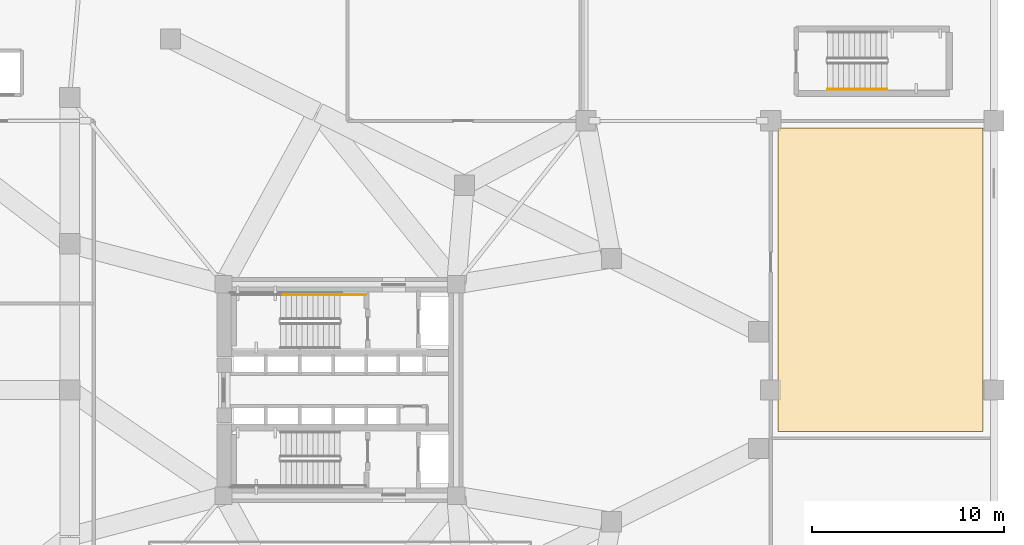
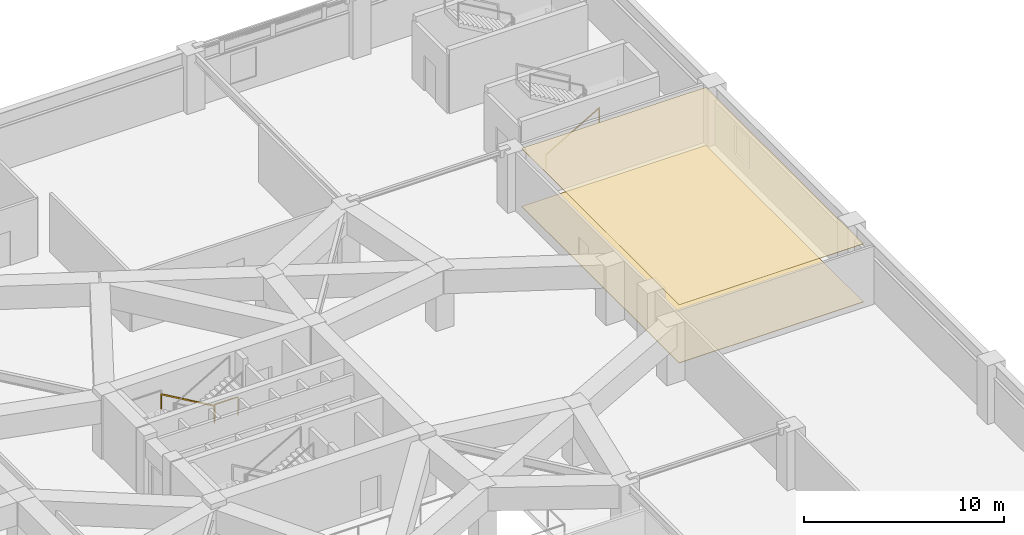
# One storey, part 15 of 16: 3 railings, 2 coverings.
"""IFC4 building model written with IfcOpenShell, lengths in metres."""

from ifc_helpers import new_model, si_unit, direction, frame, origin, origin_2d, place, context, subcontext, project, spatial, polyline, rectangle, outline, extrude, material, layer, layer_set, type_object, element, save


model = new_model("IFC4")

# Units and contexts
model_context = context("Model", 3, precision=1e-05, world=origin(), true_north=direction((0.0, 1.0)))
body_context = subcontext(model_context, "Body", "Model", "MODEL_VIEW")
ifc_project = project(units=[si_unit("LENGTHUNIT", "METRE"), si_unit("AREAUNIT", "SQUARE_METRE"), si_unit("VOLUMEUNIT", "CUBIC_METRE"), si_unit("PLANEANGLEUNIT", "RADIAN"), si_unit("MASSUNIT", "GRAM", prefix="KILO")], contexts=[model_context])

# Site, building, storey
site_placement = place(None, origin())
site = spatial("IfcSite", under=ifc_project, at=site_placement, CompositionType="ELEMENT")
building_placement = place(site_placement, origin())
building = spatial("IfcBuilding", under=site, at=building_placement, Name="Yunling Apex Tower", CompositionType="ELEMENT")
storey_placement = place(building_placement, frame((0.0, 0.0, 16.199951171875)))
storey = spatial("IfcBuildingStorey", under=building, at=storey_placement, Name="L05", CompositionType="ELEMENT", Elevation=16.199951171875)

# Coverings
ifc_material_1 = material(Name="Acoustic mineral fibre ceiling")
ifc_layer_1 = layer(ifc_material_1, 0.02490234375)
ifc_layer_set_1 = layer_set([ifc_layer_1], Name="Acoustic mineral fibre ceiling")
covering_type_1 = type_object("IfcCoveringType", Name="CV-CLG-1", PredefinedType="CEILING", material=ifc_layer_set_1)
covering_1_placement = place(storey_placement, frame((0.0, 0.0, 3.554931640625)))
element("IfcCovering", 1, at=covering_1_placement, inside=storey, type_object=covering_type_1, Name="CV-CL-SP-L05-E2", PredefinedType="CEILING", context=body_context, shape_type="SweptSolid", body=[
    extrude(outline(polyline([(33.429931640625, -2.159912109375), (22.77001953125, -2.159912109375), (22.77001953125, 13.6298828125), (33.429931640625, 13.6298828125), (33.429931640625, -2.159912109375)])), origin(), (0.0, 0.0, 1.0), 0.025146484375),
])
ifc_material_2 = material(Name="Polished granite stone", Category="masonry")
ifc_layer_2 = layer(ifc_material_2, 0.030029296875)
ifc_layer_set_2 = layer_set([ifc_layer_2], Name="Polished granite stone")
covering_type_2 = type_object("IfcCoveringType", Name="CV-FLR-1", PredefinedType="FLOORING", material=ifc_layer_set_2)
covering_2_placement = place(storey_placement, origin())
element("IfcCovering", 2, at=covering_2_placement, inside=storey, type_object=covering_type_2, Name="CV-FL-SP-L05-E2", PredefinedType="FLOORING", context=body_context, shape_type="SweptSolid", body=[
    extrude(outline(polyline([(33.429931640625, -2.159912109375), (22.77001953125, -2.159912109375), (22.77001953125, 13.6298828125), (33.429931640625, 13.6298828125), (33.429931640625, -2.159912109375)])), origin(), (0.0, 0.0, 1.0), 0.030029296875),
])

# Railings
ifc_material_3 = material(Name="Steel Q355B", Category="steel")
railing_type_1 = type_object("IfcRailingType", Name="RL-GRD-1150", PredefinedType="GUARDRAIL", material=ifc_material_3)
railing_1_placement = place(storey_placement, frame((1.35009765625, 4.9599609375, 0.0)))
element("IfcRailing", 3, at=railing_1_placement, inside=storey, type_object=railing_type_1, Name="L05 ST-1 stair guard 6", PredefinedType="GUARDRAIL", context=body_context, shape_type="SweptSolid", body=[
    extrude(rectangle(XDim=0.0439453125, YDim=0.0439453125, at=origin_2d()), origin(), (0.0, 0.0, 1.0), 1.14990234375),
    extrude(rectangle(XDim=0.0439453125, YDim=0.0439453125, at=origin_2d()), frame((-1.360107421875, 0.0, 0.0)), (0.0, 0.0, 1.0), 1.14990234375),
    extrude(rectangle(XDim=0.050048828125, YDim=0.050048828125, at=origin_2d()), frame((-0.038330078125, 0.0, 1.125), z_axis=(-1.0, 0.0, 0.0), x_axis=(0.0, -1.0, 0.0)), (0.0, 0.0, 1.0), 1.283447265625),
])
ifc_material_4 = material(Name="Silver anodised aluminium", Category="aluminium")
railing_type_2 = type_object("IfcRailingType", Name="RL-HND-900", PredefinedType="HANDRAIL", material=ifc_material_4)
railing_2_placement = place(storey_placement, frame((-0.010009765625, 4.9599609375, 0.16259765625)))
element("IfcRailing", 4, at=railing_2_placement, inside=storey, type_object=railing_type_2, Name="L05 ST-1 stair handrail 1", PredefinedType="HANDRAIL", context=body_context, shape_type="SweptSolid", body=[
    extrude(rectangle(XDim=0.0439453125, YDim=0.0439453125, at=origin_2d()), origin(), (0.0, 0.0, 1.0), 0.919921875),
    extrude(rectangle(XDim=0.0439453125, YDim=0.0439453125, at=origin_2d()), frame((-3.080078125, 0.0, 1.787353515625)), (0.0, 0.0, 1.0), 0.919921875),
    extrude(rectangle(XDim=0.050048828125, YDim=0.050048828125, at=origin_2d()), frame((-0.033203125, 0.0, 0.9140625), z_axis=(-0.864920483161, 0.0, 0.501908913857), x_axis=(0.0, -1.0, 0.0)), (0.0, 0.0, 1.0), 3.484375),
])
railing_3_placement = place(storey_placement, frame((25.35009765625, 15.64990234375, 0.16259765625)))
element("IfcRailing", 5, at=railing_3_placement, inside=storey, type_object=railing_type_2, Name="L05 ST-P2 stair handrail 1", PredefinedType="HANDRAIL", context=body_context, shape_type="SweptSolid", body=[
    extrude(rectangle(XDim=0.0439453125, YDim=0.0439453125, at=origin_2d()), origin(), (0.0, 0.0, 1.0), 0.919921875),
    extrude(rectangle(XDim=0.0439453125, YDim=0.0439453125, at=origin_2d()), frame((3.079833984375, 0.0, 1.787353515625)), (0.0, 0.0, 1.0), 0.919921875),
    extrude(rectangle(XDim=0.050048828125, YDim=0.050048828125, at=origin_2d()), frame((0.033203125, 0.0, 0.9140625), z_axis=(0.864903211148, 0.0, 0.501938676878), x_axis=(0.0, 1.0, 0.0)), (0.0, 0.0, 1.0), 3.484130859375),
])

save(model, "model.ifc")
